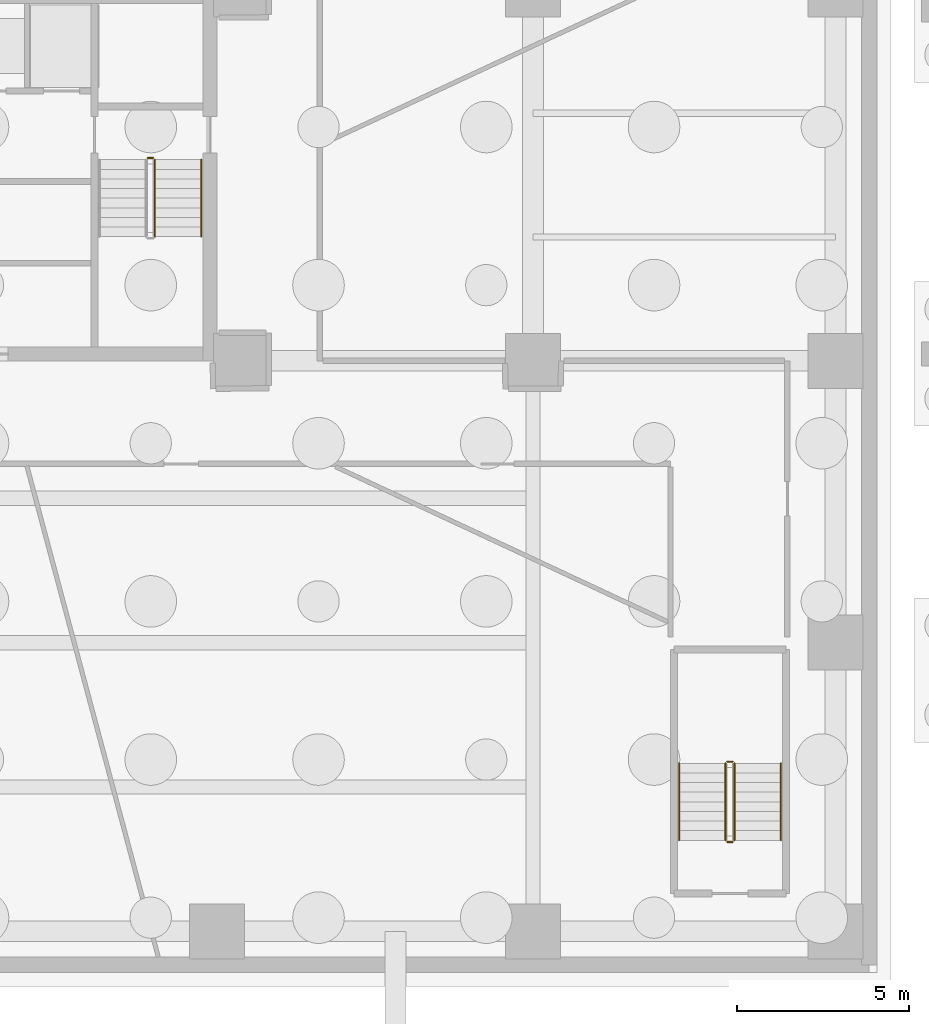
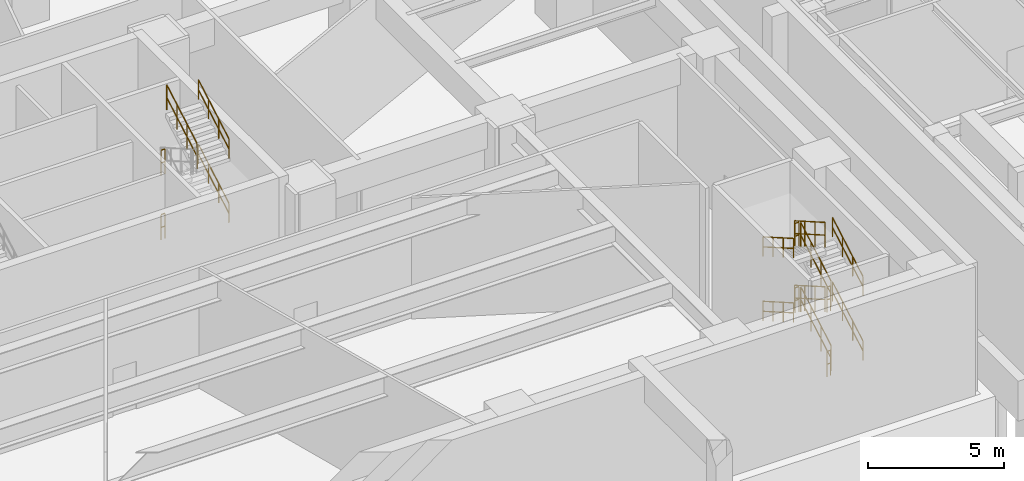
# One storey, part 12 of 15: 17 railings.
"""IFC4 building model written with IfcOpenShell, lengths in metres."""

from ifc_helpers import new_model, si_unit, direction, frame, origin, origin_2d, place, context, subcontext, project, spatial, circle, extrude, material, type_object, element, save


model = new_model("IFC4")

# Units and contexts
model_context = context("Model", 3, precision=1e-05, world=origin(), true_north=direction((0.0, 1.0)))
body_context = subcontext(model_context, "Body", "Model", "MODEL_VIEW")
ifc_project = project(units=[si_unit("LENGTHUNIT", "METRE"), si_unit("AREAUNIT", "SQUARE_METRE"), si_unit("VOLUMEUNIT", "CUBIC_METRE"), si_unit("PLANEANGLEUNIT", "RADIAN"), si_unit("MASSUNIT", "GRAM", prefix="KILO")], contexts=[model_context])

# Site, building, storey
site_placement = place(None, origin())
site = spatial("IfcSite", under=ifc_project, at=site_placement, CompositionType="ELEMENT")
building_placement = place(site_placement, origin())
building = spatial("IfcBuilding", under=site, at=building_placement, Name="Talar Marvaseh", CompositionType="ELEMENT")
storey_placement = place(building_placement, frame((0.0, 0.0, -11.60009765625)))
storey = spatial("IfcBuildingStorey", under=building, at=storey_placement, Name="B02", CompositionType="ELEMENT", Elevation=-11.60009765625)

# Railings
ifc_material = material(Name="Stainless Steel Grade 316", Category="steel")
railing_type_1 = type_object("IfcRailingType", Name="Brushed Stainless Wall Pitch Handrail 900", PredefinedType="HANDRAIL", material=ifc_material)
for number, where, name in (
    (1, (32.35009765625, 29.409912109375, 1.611328125), "B02 ST-2 stair handrail 2"),
    (2, (32.35009765625, 29.409912109375, 4.51123046875), "B02 ST-2 stair handrail 4"),
):
    element("IfcRailing", number, at=place(storey_placement, frame(where)), inside=storey, type_object=railing_type_1, Name=name, PredefinedType="HANDRAIL", context=body_context, shape_type="SweptSolid", body=[
        extrude(circle(Radius=0.02392578125, at=origin_2d()), frame((0.0, 0.0, 0.8759765625), z_axis=(0.0, 0.866768490956, 0.498710720845), x_axis=(-1.0, 0.0, 0.0)), (0.0, 0.0, 1.0), 2.584228515625),
        extrude(circle(Radius=0.02392578125, at=origin_2d()), frame((0.0, 0.0, 0.42578125), z_axis=(0.0, 0.866768490956, 0.498710720845), x_axis=(-1.0, 0.0, 0.0)), (0.0, 0.0, 1.0), 2.584228515625),
        extrude(circle(Radius=0.02099609375, at=origin_2d()), origin(), (0.0, 0.0, 1.0), 0.851806640625),
        extrude(circle(Radius=0.02099609375, at=origin_2d()), frame((0.0, 0.74658203125, 0.4296875)), (0.0, 0.0, 1.0), 0.851806640625),
        extrude(circle(Radius=0.02099609375, at=origin_2d()), frame((0.0, 1.493408203125, 0.859130859375)), (0.0, 0.0, 1.0), 0.851806640625),
        extrude(circle(Radius=0.02099609375, at=origin_2d()), frame((0.0, 2.239990234375, 1.288818359375)), (0.0, 0.0, 1.0), 0.851806640625),
    ])
railing_1_placement = place(storey_placement, frame((49.2099609375, 11.85009765625, 0.1611328125)))
element("IfcRailing", 3, at=railing_1_placement, inside=storey, type_object=railing_type_1, Name="B02 STN-ST2 stair handrail 1", PredefinedType="HANDRAIL", context=body_context, shape_type="SweptSolid", body=[
    extrude(circle(Radius=0.02392578125, at=origin_2d()), frame((0.0, 0.0, 0.8759765625), z_axis=(0.0, 0.866727653441, 0.498781690482), x_axis=(-1.0, 0.0, 0.0)), (0.0, 0.0, 1.0), 2.58447265625),
    extrude(circle(Radius=0.02392578125, at=origin_2d()), frame((0.0, 0.0, 0.42578125), z_axis=(0.0, 0.866727653441, 0.498781690482), x_axis=(-1.0, 0.0, 0.0)), (0.0, 0.0, 1.0), 2.58447265625),
    extrude(circle(Radius=0.02099609375, at=origin_2d()), origin(), (0.0, 0.0, 1.0), 0.851806640625),
    extrude(circle(Radius=0.02099609375, at=origin_2d()), frame((0.0, 0.74658203125, 0.4296875)), (0.0, 0.0, 1.0), 0.851806640625),
    extrude(circle(Radius=0.02099609375, at=origin_2d()), frame((0.0, 1.493408203125, 0.859375)), (0.0, 0.0, 1.0), 0.851806640625),
    extrude(circle(Radius=0.02099609375, at=origin_2d()), frame((0.0, 2.239990234375, 1.2890625)), (0.0, 0.0, 1.0), 0.851806640625),
])
railing_2_placement = place(storey_placement, frame((46.25, 14.090087890625, 1.611328125)))
element("IfcRailing", 4, at=railing_2_placement, inside=storey, type_object=railing_type_1, Name="B02 STN-ST2 stair handrail 2", PredefinedType="HANDRAIL", context=body_context, shape_type="SweptSolid", body=[
    extrude(circle(Radius=0.02392578125, at=origin_2d()), frame((0.0, 0.0, 0.8759765625), z_axis=(0.0, -0.866768490956, 0.498710720845), x_axis=(1.0, 0.0, 0.0)), (0.0, 0.0, 1.0), 2.584228515625),
    extrude(circle(Radius=0.02392578125, at=origin_2d()), frame((0.0, 0.0, 0.42578125), z_axis=(0.0, -0.866768490956, 0.498710720845), x_axis=(1.0, 0.0, 0.0)), (0.0, 0.0, 1.0), 2.584228515625),
    extrude(circle(Radius=0.02099609375, at=origin_2d()), origin(), (0.0, 0.0, 1.0), 0.851806640625),
    extrude(circle(Radius=0.02099609375, at=origin_2d()), frame((0.0, -0.74658203125, 0.4296875)), (0.0, 0.0, 1.0), 0.851806640625),
    extrude(circle(Radius=0.02099609375, at=origin_2d()), frame((0.0, -1.493408203125, 0.859130859375)), (0.0, 0.0, 1.0), 0.851806640625),
    extrude(circle(Radius=0.02099609375, at=origin_2d()), frame((0.0, -2.239990234375, 1.288818359375)), (0.0, 0.0, 1.0), 0.851806640625),
])
railing_3_placement = place(storey_placement, frame((49.2099609375, 11.85009765625, 3.061279296875)))
element("IfcRailing", 5, at=railing_3_placement, inside=storey, type_object=railing_type_1, Name="B02 STN-ST2 stair handrail 3", PredefinedType="HANDRAIL", context=body_context, shape_type="SweptSolid", body=[
    extrude(circle(Radius=0.02392578125, at=origin_2d()), frame((0.0, 0.0, 0.8759765625), z_axis=(0.0, 0.866768490956, 0.498710720845), x_axis=(-1.0, 0.0, 0.0)), (0.0, 0.0, 1.0), 2.584228515625),
    extrude(circle(Radius=0.02392578125, at=origin_2d()), frame((0.0, 0.0, 0.42578125), z_axis=(0.0, 0.866768490956, 0.498710720845), x_axis=(-1.0, 0.0, 0.0)), (0.0, 0.0, 1.0), 2.584228515625),
    extrude(circle(Radius=0.02099609375, at=origin_2d()), origin(), (0.0, 0.0, 1.0), 0.851806640625),
    extrude(circle(Radius=0.02099609375, at=origin_2d()), frame((0.0, 0.74658203125, 0.4296875)), (0.0, 0.0, 1.0), 0.851806640625),
    extrude(circle(Radius=0.02099609375, at=origin_2d()), frame((0.0, 1.493408203125, 0.859130859375)), (0.0, 0.0, 1.0), 0.851806640625),
    extrude(circle(Radius=0.02099609375, at=origin_2d()), frame((0.0, 2.239990234375, 1.288818359375)), (0.0, 0.0, 1.0), 0.851806640625),
])
railing_4_placement = place(storey_placement, frame((46.25, 14.090087890625, 4.51123046875)))
element("IfcRailing", 6, at=railing_4_placement, inside=storey, type_object=railing_type_1, Name="B02 STN-ST2 stair handrail 4", PredefinedType="HANDRAIL", context=body_context, shape_type="SweptSolid", body=[
    extrude(circle(Radius=0.02392578125, at=origin_2d()), frame((0.0, 0.0, 0.8759765625), z_axis=(0.0, -0.866768490956, 0.498710720845), x_axis=(1.0, 0.0, 0.0)), (0.0, 0.0, 1.0), 2.584228515625),
    extrude(circle(Radius=0.02392578125, at=origin_2d()), frame((0.0, 0.0, 0.42578125), z_axis=(0.0, -0.866768490956, 0.498710720845), x_axis=(1.0, 0.0, 0.0)), (0.0, 0.0, 1.0), 2.584228515625),
    extrude(circle(Radius=0.02099609375, at=origin_2d()), origin(), (0.0, 0.0, 1.0), 0.851806640625),
    extrude(circle(Radius=0.02099609375, at=origin_2d()), frame((0.0, -0.74658203125, 0.4296875)), (0.0, 0.0, 1.0), 0.851806640625),
    extrude(circle(Radius=0.02099609375, at=origin_2d()), frame((0.0, -1.493408203125, 0.859130859375)), (0.0, 0.0, 1.0), 0.851806640625),
    extrude(circle(Radius=0.02099609375, at=origin_2d()), frame((0.0, -2.239990234375, 1.288818359375)), (0.0, 0.0, 1.0), 0.851806640625),
])
railing_type_2 = type_object("IfcRailingType", Name="Painted Steel Core Stair Well Guardrail 1150", PredefinedType="GUARDRAIL", material=ifc_material)
railing_5_placement = place(storey_placement, frame((30.7900390625, 31.699951171875, 2.900146484375)))
element("IfcRailing", 7, at=railing_5_placement, inside=storey, type_object=railing_type_2, Name="B02 ST-2 stair guard 4", PredefinedType="GUARDRAIL", context=body_context, shape_type="SweptSolid", body=[
    extrude(circle(Radius=0.02392578125, at=origin_2d()), frame((0.0, 0.0, 1.1259765625), z_axis=(1.0, 0.0, 0.0), x_axis=(0.0, 1.0, 0.0)), (0.0, 0.0, 1.0), 0.159912109375),
    extrude(circle(Radius=0.02392578125, at=origin_2d()), frame((0.0, 0.0, 0.55078125), z_axis=(1.0, 0.0, 0.0), x_axis=(0.0, 1.0, 0.0)), (0.0, 0.0, 1.0), 0.159912109375),
    extrude(circle(Radius=0.02099609375, at=origin_2d()), origin(), (0.0, 0.0, 1.0), 1.101806640625),
    extrude(circle(Radius=0.02099609375, at=origin_2d()), frame((0.159912109375, 0.0, 0.0)), (0.0, 0.0, 1.0), 1.101806640625),
])
railing_6_placement = place(storey_placement, frame((31.0, 29.409912109375, 4.51123046875)))
element("IfcRailing", 8, at=railing_6_placement, inside=storey, type_object=railing_type_2, Name="B02 ST-2 stair guard 7", PredefinedType="GUARDRAIL", context=body_context, shape_type="SweptSolid", body=[
    extrude(circle(Radius=0.02392578125, at=origin_2d()), frame((0.0, 0.0, 1.1259765625), z_axis=(0.0, 0.866768490956, 0.498710720845), x_axis=(-1.0, 0.0, 0.0)), (0.0, 0.0, 1.0), 2.584228515625),
    extrude(circle(Radius=0.02392578125, at=origin_2d()), frame((0.0, 0.0, 0.55078125), z_axis=(0.0, 0.866768490956, 0.498710720845), x_axis=(-1.0, 0.0, 0.0)), (0.0, 0.0, 1.0), 2.584228515625),
    extrude(circle(Radius=0.02099609375, at=origin_2d()), origin(), (0.0, 0.0, 1.0), 1.101806640625),
    extrude(circle(Radius=0.02099609375, at=origin_2d()), frame((0.0, 0.74658203125, 0.4296875)), (0.0, 0.0, 1.0), 1.101806640625),
    extrude(circle(Radius=0.02099609375, at=origin_2d()), frame((0.0, 1.493408203125, 0.859130859375)), (0.0, 0.0, 1.0), 1.101806640625),
    extrude(circle(Radius=0.02099609375, at=origin_2d()), frame((0.0, 2.239990234375, 1.288818359375)), (0.0, 0.0, 1.0), 1.101806640625),
])
railing_7_placement = place(storey_placement, frame((30.7900390625, 31.699951171875, 0.0)))
element("IfcRailing", 9, at=railing_7_placement, inside=storey, type_object=railing_type_2, Name="B02 ST-2 stair guard 8", PredefinedType="GUARDRAIL", context=body_context, shape_type="SweptSolid", body=[
    extrude(circle(Radius=0.02392578125, at=origin_2d()), frame((0.0, 0.0, 1.1259765625), z_axis=(1.0, 0.0, 0.0), x_axis=(0.0, 1.0, 0.0)), (0.0, 0.0, 1.0), 0.159912109375),
    extrude(circle(Radius=0.02392578125, at=origin_2d()), frame((0.0, 0.0, 0.55078125), z_axis=(1.0, 0.0, 0.0), x_axis=(0.0, 1.0, 0.0)), (0.0, 0.0, 1.0), 0.159912109375),
    extrude(circle(Radius=0.02099609375, at=origin_2d()), origin(), (0.0, 0.0, 1.0), 1.101806640625),
    extrude(circle(Radius=0.02099609375, at=origin_2d()), frame((0.159912109375, 0.0, 0.0)), (0.0, 0.0, 1.0), 1.101806640625),
])
railing_8_placement = place(storey_placement, frame((47.860107421875, 11.85009765625, 0.1611328125)))
element("IfcRailing", 10, at=railing_8_placement, inside=storey, type_object=railing_type_2, Name="B02 STN-ST2 stair guard 1", PredefinedType="GUARDRAIL", context=body_context, shape_type="SweptSolid", body=[
    extrude(circle(Radius=0.02392578125, at=origin_2d()), frame((0.0, 0.0, 1.1259765625), z_axis=(0.0, 0.866727653441, 0.498781690482), x_axis=(-1.0, 0.0, 0.0)), (0.0, 0.0, 1.0), 2.58447265625),
    extrude(circle(Radius=0.02392578125, at=origin_2d()), frame((0.0, 0.0, 0.55078125), z_axis=(0.0, 0.866727653441, 0.498781690482), x_axis=(-1.0, 0.0, 0.0)), (0.0, 0.0, 1.0), 2.58447265625),
    extrude(circle(Radius=0.02099609375, at=origin_2d()), origin(), (0.0, 0.0, 1.0), 1.101806640625),
    extrude(circle(Radius=0.02099609375, at=origin_2d()), frame((0.0, 0.74658203125, 0.4296875)), (0.0, 0.0, 1.0), 1.101806640625),
    extrude(circle(Radius=0.02099609375, at=origin_2d()), frame((0.0, 1.493408203125, 0.859375)), (0.0, 0.0, 1.0), 1.101806640625),
    extrude(circle(Radius=0.02099609375, at=origin_2d()), frame((0.0, 2.239990234375, 1.2890625)), (0.0, 0.0, 1.0), 1.101806640625),
])
railing_9_placement = place(storey_placement, frame((47.81005859375, 14.139892578125, 1.4501953125)))
element("IfcRailing", 11, at=railing_9_placement, inside=storey, type_object=railing_type_2, Name="B02 STN-ST2 stair guard 2", PredefinedType="GUARDRAIL", context=body_context, shape_type="SweptSolid", body=[
    extrude(circle(Radius=0.02392578125, at=origin_2d()), frame((0.0, 0.0, 1.1259765625), z_axis=(-1.0, 0.0, 0.0), x_axis=(0.0, -1.0, 0.0)), (0.0, 0.0, 1.0), 0.16015625),
    extrude(circle(Radius=0.02392578125, at=origin_2d()), frame((0.0, 0.0, 0.55078125), z_axis=(-1.0, 0.0, 0.0), x_axis=(0.0, -1.0, 0.0)), (0.0, 0.0, 1.0), 0.16015625),
    extrude(circle(Radius=0.02099609375, at=origin_2d()), origin(), (0.0, 0.0, 1.0), 1.101806640625),
    extrude(circle(Radius=0.02099609375, at=origin_2d()), frame((-0.16015625, 0.0, 0.0)), (0.0, 0.0, 1.0), 1.101806640625),
])
railing_10_placement = place(storey_placement, frame((47.60009765625, 14.090087890625, 1.611328125)))
element("IfcRailing", 12, at=railing_10_placement, inside=storey, type_object=railing_type_2, Name="B02 STN-ST2 stair guard 3", PredefinedType="GUARDRAIL", context=body_context, shape_type="SweptSolid", body=[
    extrude(circle(Radius=0.02392578125, at=origin_2d()), frame((0.0, 0.0, 1.1259765625), z_axis=(0.0, -0.866768490956, 0.498710720845), x_axis=(1.0, 0.0, 0.0)), (0.0, 0.0, 1.0), 2.584228515625),
    extrude(circle(Radius=0.02392578125, at=origin_2d()), frame((0.0, 0.0, 0.55078125), z_axis=(0.0, -0.866768490956, 0.498710720845), x_axis=(1.0, 0.0, 0.0)), (0.0, 0.0, 1.0), 2.584228515625),
    extrude(circle(Radius=0.02099609375, at=origin_2d()), origin(), (0.0, 0.0, 1.0), 1.101806640625),
    extrude(circle(Radius=0.02099609375, at=origin_2d()), frame((0.0, -0.74658203125, 0.4296875)), (0.0, 0.0, 1.0), 1.101806640625),
    extrude(circle(Radius=0.02099609375, at=origin_2d()), frame((0.0, -1.493408203125, 0.859130859375)), (0.0, 0.0, 1.0), 1.101806640625),
    extrude(circle(Radius=0.02099609375, at=origin_2d()), frame((0.0, -2.239990234375, 1.288818359375)), (0.0, 0.0, 1.0), 1.101806640625),
])
railing_11_placement = place(storey_placement, frame((47.81005859375, 11.800048828125, 2.900146484375)))
element("IfcRailing", 13, at=railing_11_placement, inside=storey, type_object=railing_type_2, Name="B02 STN-ST2 stair guard 4", PredefinedType="GUARDRAIL", context=body_context, shape_type="SweptSolid", body=[
    extrude(circle(Radius=0.02392578125, at=origin_2d()), frame((0.0, 0.0, 1.1259765625), z_axis=(-1.0, 0.0, 0.0), x_axis=(0.0, -1.0, 0.0)), (0.0, 0.0, 1.0), 0.16015625),
    extrude(circle(Radius=0.02392578125, at=origin_2d()), frame((0.0, 0.0, 0.55078125), z_axis=(-1.0, 0.0, 0.0), x_axis=(0.0, -1.0, 0.0)), (0.0, 0.0, 1.0), 0.16015625),
    extrude(circle(Radius=0.02099609375, at=origin_2d()), origin(), (0.0, 0.0, 1.0), 1.101806640625),
    extrude(circle(Radius=0.02099609375, at=origin_2d()), frame((-0.16015625, 0.0, 0.0)), (0.0, 0.0, 1.0), 1.101806640625),
])
railing_12_placement = place(storey_placement, frame((47.860107421875, 11.85009765625, 3.061279296875)))
element("IfcRailing", 14, at=railing_12_placement, inside=storey, type_object=railing_type_2, Name="B02 STN-ST2 stair guard 5", PredefinedType="GUARDRAIL", context=body_context, shape_type="SweptSolid", body=[
    extrude(circle(Radius=0.02392578125, at=origin_2d()), frame((0.0, 0.0, 1.1259765625), z_axis=(0.0, 0.866768490956, 0.498710720845), x_axis=(-1.0, 0.0, 0.0)), (0.0, 0.0, 1.0), 2.584228515625),
    extrude(circle(Radius=0.02392578125, at=origin_2d()), frame((0.0, 0.0, 0.55078125), z_axis=(0.0, 0.866768490956, 0.498710720845), x_axis=(-1.0, 0.0, 0.0)), (0.0, 0.0, 1.0), 2.584228515625),
    extrude(circle(Radius=0.02099609375, at=origin_2d()), origin(), (0.0, 0.0, 1.0), 1.101806640625),
    extrude(circle(Radius=0.02099609375, at=origin_2d()), frame((0.0, 0.74658203125, 0.4296875)), (0.0, 0.0, 1.0), 1.101806640625),
    extrude(circle(Radius=0.02099609375, at=origin_2d()), frame((0.0, 1.493408203125, 0.859130859375)), (0.0, 0.0, 1.0), 1.101806640625),
    extrude(circle(Radius=0.02099609375, at=origin_2d()), frame((0.0, 2.239990234375, 1.288818359375)), (0.0, 0.0, 1.0), 1.101806640625),
])
railing_13_placement = place(storey_placement, frame((47.81005859375, 14.139892578125, 4.35009765625)))
element("IfcRailing", 15, at=railing_13_placement, inside=storey, type_object=railing_type_2, Name="B02 STN-ST2 stair guard 6", PredefinedType="GUARDRAIL", context=body_context, shape_type="SweptSolid", body=[
    extrude(circle(Radius=0.02392578125, at=origin_2d()), frame((0.0, 0.0, 1.1259765625), z_axis=(-1.0, 0.0, 0.0), x_axis=(0.0, -1.0, 0.0)), (0.0, 0.0, 1.0), 0.16015625),
    extrude(circle(Radius=0.02392578125, at=origin_2d()), frame((0.0, 0.0, 0.55078125), z_axis=(-1.0, 0.0, 0.0), x_axis=(0.0, -1.0, 0.0)), (0.0, 0.0, 1.0), 0.16015625),
    extrude(circle(Radius=0.02099609375, at=origin_2d()), origin(), (0.0, 0.0, 1.0), 1.101806640625),
    extrude(circle(Radius=0.02099609375, at=origin_2d()), frame((-0.16015625, 0.0, 0.0)), (0.0, 0.0, 1.0), 1.101806640625),
])
railing_14_placement = place(storey_placement, frame((47.60009765625, 14.090087890625, 4.51123046875)))
element("IfcRailing", 16, at=railing_14_placement, inside=storey, type_object=railing_type_2, Name="B02 STN-ST2 stair guard 7", PredefinedType="GUARDRAIL", context=body_context, shape_type="SweptSolid", body=[
    extrude(circle(Radius=0.02392578125, at=origin_2d()), frame((0.0, 0.0, 1.1259765625), z_axis=(0.0, -0.866768490956, 0.498710720845), x_axis=(1.0, 0.0, 0.0)), (0.0, 0.0, 1.0), 2.584228515625),
    extrude(circle(Radius=0.02392578125, at=origin_2d()), frame((0.0, 0.0, 0.55078125), z_axis=(0.0, -0.866768490956, 0.498710720845), x_axis=(1.0, 0.0, 0.0)), (0.0, 0.0, 1.0), 2.584228515625),
    extrude(circle(Radius=0.02099609375, at=origin_2d()), origin(), (0.0, 0.0, 1.0), 1.101806640625),
    extrude(circle(Radius=0.02099609375, at=origin_2d()), frame((0.0, -0.74658203125, 0.4296875)), (0.0, 0.0, 1.0), 1.101806640625),
    extrude(circle(Radius=0.02099609375, at=origin_2d()), frame((0.0, -1.493408203125, 0.859130859375)), (0.0, 0.0, 1.0), 1.101806640625),
    extrude(circle(Radius=0.02099609375, at=origin_2d()), frame((0.0, -2.239990234375, 1.288818359375)), (0.0, 0.0, 1.0), 1.101806640625),
])
railing_15_placement = place(storey_placement, frame((47.81005859375, 11.800048828125, 0.0)))
element("IfcRailing", 17, at=railing_15_placement, inside=storey, type_object=railing_type_2, Name="B02 STN-ST2 stair guard 8", PredefinedType="GUARDRAIL", context=body_context, shape_type="SweptSolid", body=[
    extrude(circle(Radius=0.02392578125, at=origin_2d()), frame((0.0, 0.0, 1.1259765625), z_axis=(-1.0, 0.0, 0.0), x_axis=(0.0, -1.0, 0.0)), (0.0, 0.0, 1.0), 0.16015625),
    extrude(circle(Radius=0.02392578125, at=origin_2d()), frame((0.0, 0.0, 0.55078125), z_axis=(-1.0, 0.0, 0.0), x_axis=(0.0, -1.0, 0.0)), (0.0, 0.0, 1.0), 0.16015625),
    extrude(circle(Radius=0.02099609375, at=origin_2d()), origin(), (0.0, 0.0, 1.0), 1.101806640625),
    extrude(circle(Radius=0.02099609375, at=origin_2d()), frame((-0.16015625, 0.0, 0.0)), (0.0, 0.0, 1.0), 1.101806640625),
])

save(model, "model.ifc")
